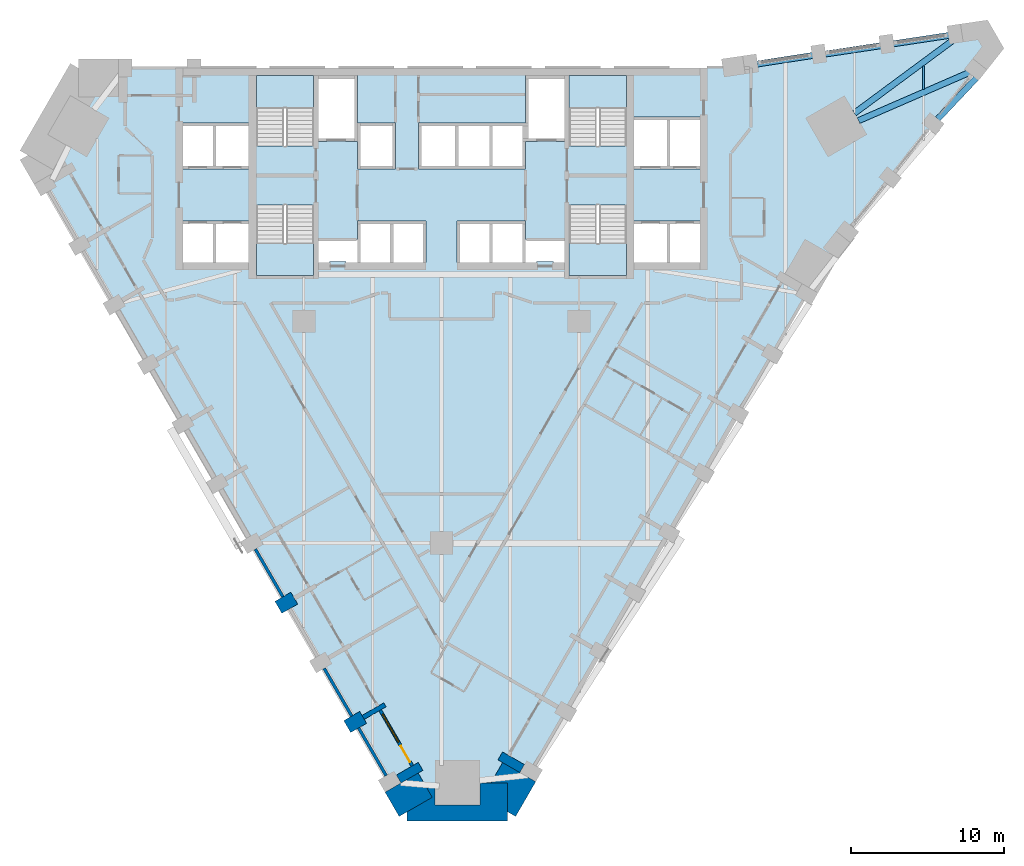
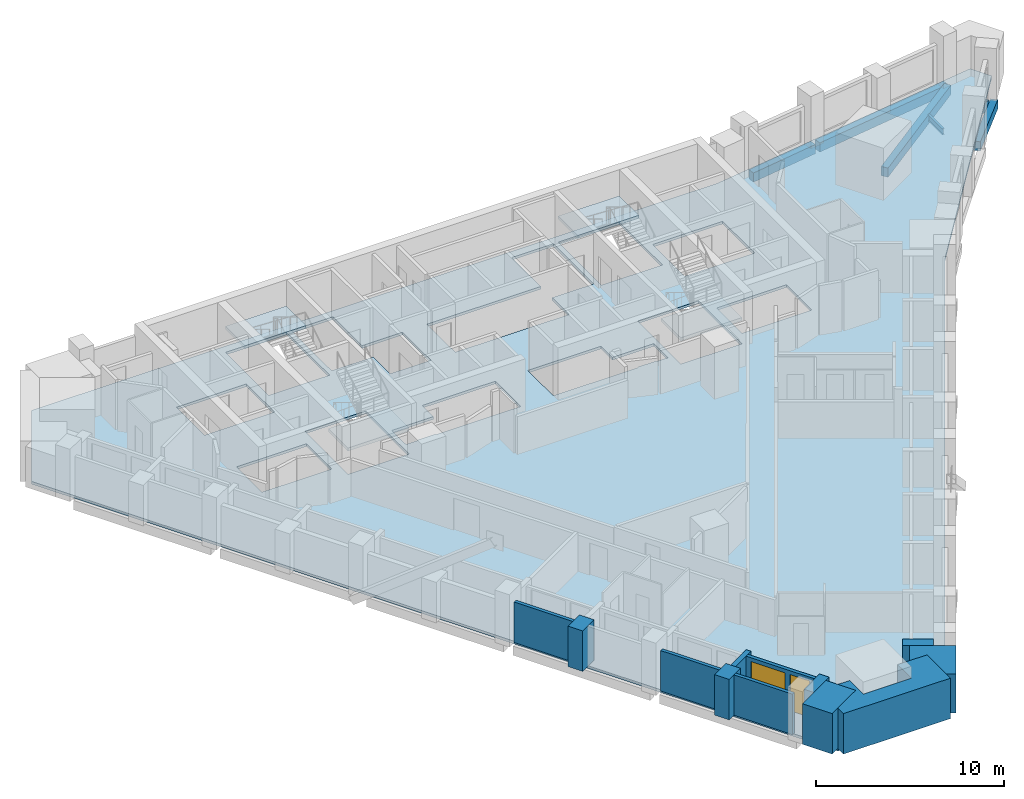
# One storey, part 2 of 10: 12 walls, 6 beams, 5 slabs, 1 door, 1 window, 2 openings, 4 elements without a shape of their own.
"""IFC4 building model written with IfcOpenShell, lengths in metres."""

from ifc_helpers import new_model, si_unit, direction, frame, frame_2d, origin, origin_2d, place, context, subcontext, project, spatial, polyline, rectangle, i_section, outline, extrude, material, layer, layer_set, material_profile, profile_set, type_object, element, fill, aggregate, save


model = new_model("IFC4")

# Units and contexts
model_context = context("Model", 3, precision=1e-05, world=origin(), true_north=direction((0.0, 1.0)))
body_context = subcontext(model_context, "Body", "Model", "MODEL_VIEW")
ifc_project = project(units=[si_unit("LENGTHUNIT", "METRE"), si_unit("AREAUNIT", "SQUARE_METRE"), si_unit("VOLUMEUNIT", "CUBIC_METRE"), si_unit("PLANEANGLEUNIT", "RADIAN"), si_unit("MASSUNIT", "GRAM", prefix="KILO")], contexts=[model_context])

# Site, building, storey
site_placement = place(None, origin())
site = spatial("IfcSite", under=ifc_project, at=site_placement, CompositionType="ELEMENT")
building_placement = place(site_placement, origin())
building = spatial("IfcBuilding", under=site, at=building_placement, Name="Calabash Gate Tower", CompositionType="ELEMENT")
storey_placement = place(building_placement, frame((0.0, 0.0, 105.39990234375)))
storey = spatial("IfcBuildingStorey", under=building, at=storey_placement, Name="L23", CompositionType="ELEMENT", Elevation=105.39990234375)

# Beams
ifc_material_1 = material(Name="Concrete C60/75", Category="concrete")
ifc_material_profile_1 = material_profile(ifc_material_1, rectangle(XDim=0.39990234375, YDim=0.60009765625, at=origin_2d()))
ifc_profile_set_1 = profile_set([ifc_material_profile_1], Name="Concrete C60/75")
beam_type_1 = type_object("IfcBeamType", Name="Edge beam RC 400x600 Concrete C60/75", PredefinedType="BEAM", material=ifc_profile_set_1)
beam_1_placement = place(storey_placement, frame((32.43701171875, 15.72412109375, -0.469970703125), z_axis=(0.685684369874, 0.727898993618, 0.0), x_axis=(-0.727898993618, 0.685684369874, 0.0)))
element("IfcBeam", 1, at=beam_1_placement, inside=storey, type_object=beam_type_1, Name="Edge beam L23 12", PredefinedType="BEAM", context=body_context, shape_type="SweptSolid", body=[
    extrude(rectangle(XDim=0.39990234375, YDim=0.60009765625, at=origin_2d()), origin(), (0.0, 0.0, 1.0), 4.025146484375),
])
beam_2_placement = place(storey_placement, frame((34.85205078125, 18.9140625, -0.469970703125), z_axis=(-0.917076156133, -0.398712081398, 0.0), x_axis=(0.398712081398, -0.917076156133, 0.0)))
element("IfcBeam", 2, at=beam_2_placement, inside=storey, type_object=beam_type_1, Name="Edge beam L23 13", PredefinedType="BEAM", context=body_context, shape_type="SweptSolid", body=[
    extrude(rectangle(XDim=0.39990234375, YDim=0.60009765625, at=origin_2d()), origin(), (0.0, 0.0, 1.0), 8.27197265625),
])
beam_3_placement = place(storey_placement, frame((26.989013671875, 16.096923828125, -0.469970703125), z_axis=(0.803977048401, 0.594660327955, 0.0), x_axis=(-0.594660327955, 0.803977048401, 0.0)))
element("IfcBeam", 3, at=beam_3_placement, inside=storey, type_object=beam_type_1, Name="Edge beam L23 14", PredefinedType="BEAM", context=body_context, shape_type="SweptSolid", body=[
    extrude(rectangle(XDim=0.39990234375, YDim=0.60009765625, at=origin_2d()), origin(), (0.0, 0.0, 1.0), 8.411865234375),
])
beam_4_placement = place(storey_placement, frame((33.737060546875, 21.27392578125, -0.469970703125), z_axis=(-0.988841625555, -0.148970599683, 0.0), x_axis=(0.148970599683, -0.988841625555, 0.0)))
element("IfcBeam", 4, at=beam_4_placement, inside=storey, type_object=beam_type_1, Name="Edge beam L23 15", PredefinedType="BEAM", context=body_context, shape_type="SweptSolid", body=[
    extrude(rectangle(XDim=0.39990234375, YDim=0.60009765625, at=origin_2d()), origin(), (0.0, 0.0, 1.0), 8.7333984375),
])
beam_5_placement = place(storey_placement, frame((24.83203125, 19.968017578125, -0.469970703125), z_axis=(-0.988255414285, -0.152811112607, 0.0), x_axis=(0.152811112607, -0.988255414285, 0.0)))
element("IfcBeam", 5, at=beam_5_placement, inside=storey, type_object=beam_type_1, Name="Edge beam L23 16", PredefinedType="BEAM", context=body_context, shape_type="SweptSolid", body=[
    extrude(rectangle(XDim=0.39990234375, YDim=0.60009765625, at=origin_2d()), origin(), (0.0, 0.0, 1.0), 4.23388671875),
])
ifc_material_2 = material(Name="Steel ASTM A992 Gr50", Category="steel")
ifc_material_profile_2 = material_profile(ifc_material_2, i_section(OverallWidth=0.1396484375, OverallDepth=0.398681640625, WebThickness=0.00634765625, FlangeThickness=0.0087890625, FilletRadius=0.01025390625, at=origin_2d()))
ifc_profile_set_2 = profile_set([ifc_material_profile_2], Name="Steel ASTM A992 Gr50")
beam_type_2 = type_object("IfcBeamType", Name="Floor beam W16x26 ASTM A992 Gr50", PredefinedType="BEAM", material=ifc_profile_set_2)
beam_6_placement = place(storey_placement, frame((31.5, 17.653076171875, -0.368896484375), z_axis=(0.0, 1.0, 0.0), x_axis=(-1.0, 0.0, 0.0)))
element("IfcBeam", 6, at=beam_6_placement, inside=storey, type_object=beam_type_2, Name="Floor beam L23 23", PredefinedType="BEAM", context=body_context, shape_type="SweptSolid", body=[
    extrude(i_section(OverallWidth=0.1396484375, OverallDepth=0.398681640625, WebThickness=0.00634765625, FlangeThickness=0.0087890625, FilletRadius=0.01025390625, at=origin_2d()), origin(), (0.0, 0.0, 1.0), 1.5439453125),
])

# Slab
ifc_material_3 = material(Name="Concrete C40/50", Category="concrete")
ifc_layer_1 = layer(ifc_material_3, 0.169921875)
ifc_layer_set_1 = layer_set([ifc_layer_1], Name="Composite floor slab 170 Concrete C40/50")
slab_type_1 = type_object("IfcSlabType", Name="Composite floor slab 170 Concrete C40/50", PredefinedType="FLOOR", material=ifc_layer_set_1)
slab_1_placement = place(storey_placement, frame((0.0, 0.0, -0.169921875)))
element("IfcSlab", 7, at=slab_1_placement, inside=storey, type_object=slab_type_1, Name="Floor slab L23", PredefinedType="FLOOR", context=body_context, shape_type="SweptSolid", body=[
    extrude(outline(polyline([(-27.03125, 13.3544921875), (-23.741455078125, 19.052490234375), (18.4033203125, 19.052490234375), (35.385498046875, 21.54150390625), (36.050048828125, 20.390625), (25.4033203125, 6.92822265625), (4.3310546875, -29.5703125), (-2.24853515625, -29.5703125), (-27.03125, 13.3544921875)]), holes=[polyline([(-5.5, 9.052490234375), (-5.5, 7.8525390625), (-8.050048828125, 7.8525390625), (-8.050048828125, 6.3525390625), (-7.324951171875, 6.3525390625), (-7.324951171875, 6.402587890625), (-6.22509765625, 6.402587890625), (-6.22509765625, 6.3525390625), (-5.5, 6.3525390625), (-3.25, 6.3525390625), (-1.0, 6.3525390625), (-1.0, 9.052490234375), (-3.25, 9.052490234375), (-5.5, 9.052490234375)]), polyline([(5.5, 9.052490234375), (3.25, 9.052490234375), (1.0, 9.052490234375), (1.0, 6.3525390625), (3.25, 6.3525390625), (5.5, 6.3525390625), (6.22509765625, 6.3525390625), (6.22509765625, 6.402587890625), (7.324951171875, 6.402587890625), (7.324951171875, 6.3525390625), (8.050048828125, 6.3525390625), (8.050048828125, 7.8525390625), (5.5, 7.8525390625), (5.5, 9.052490234375)]), polyline([(-5.5, 14.252685546875), (-5.5, 12.45263671875), (-3.0, 12.45263671875), (-3.0, 15.45263671875), (-5.5, 15.45263671875), (-5.5, 18.552490234375), (-8.050048828125, 18.552490234375), (-8.050048828125, 14.252685546875), (-5.5, 14.252685546875)]), polyline([(8.050048828125, 18.552490234375), (5.5, 18.552490234375), (5.5, 15.45263671875), (3.25, 15.45263671875), (1.0, 15.45263671875), (-1.5, 15.45263671875), (-1.5, 12.45263671875), (1.0, 12.45263671875), (3.25, 12.45263671875), (5.5, 12.45263671875), (5.5, 14.252685546875), (8.050048828125, 14.252685546875), (8.050048828125, 18.552490234375)]), polyline([(-12.60009765625, 6.3525390625), (-12.60009765625, 9.052490234375), (-14.85009765625, 9.052490234375), (-16.89990234375, 9.052490234375), (-16.89990234375, 6.3525390625), (-14.85009765625, 6.3525390625), (-12.60009765625, 6.3525390625)]), polyline([(-14.85009765625, 12.45263671875), (-12.60009765625, 12.45263671875), (-12.60009765625, 15.45263671875), (-14.85009765625, 15.45263671875), (-16.89990234375, 15.45263671875), (-16.89990234375, 12.45263671875), (-14.85009765625, 12.45263671875)]), polyline([(14.85009765625, 6.3525390625), (16.89990234375, 6.3525390625), (16.89990234375, 9.052490234375), (14.85009765625, 9.052490234375), (12.60009765625, 9.052490234375), (12.60009765625, 6.3525390625), (14.85009765625, 6.3525390625)]), polyline([(14.85009765625, 12.45263671875), (16.89990234375, 12.45263671875), (16.89990234375, 15.8525390625), (14.85009765625, 15.8525390625), (12.60009765625, 15.8525390625), (12.60009765625, 12.45263671875), (14.85009765625, 12.45263671875)]), polyline([(-8.35009765625, 18.552490234375), (-12.10009765625, 18.552490234375), (-12.10009765625, 13.95263671875), (-8.35009765625, 13.95263671875), (-8.35009765625, 18.552490234375)]), polyline([(-12.10009765625, 10.1025390625), (-12.10009765625, 5.502685546875), (-8.35009765625, 5.502685546875), (-8.35009765625, 10.1025390625), (-12.10009765625, 10.1025390625)]), polyline([(8.35009765625, 13.95263671875), (12.10009765625, 13.95263671875), (12.10009765625, 18.552490234375), (8.35009765625, 18.552490234375), (8.35009765625, 13.95263671875)]), polyline([(12.10009765625, 5.502685546875), (12.10009765625, 10.1025390625), (8.35009765625, 10.1025390625), (8.35009765625, 5.502685546875), (12.10009765625, 5.502685546875)])]), origin(), (0.0, 0.0, 1.0), 0.169921875),
])

# Stair, slab
ifc_material_4 = material(Name="Concrete C40/50", Category="concrete")
stair_type = type_object("IfcStairType", Name="Exit stair 20 risers of 170 mm", PredefinedType="HALF_TURN_STAIR", material=ifc_material_4)
stair_1_placement = place(storey_placement, origin())
stair_1 = element("IfcStair", 8, at=stair_1_placement, inside=storey, type_object=stair_type, Name="L23 Exit stair ST1", PredefinedType="HALF_TURN_STAIR")
ifc_material_5 = material(Name="Concrete C40/50", Category="concrete")
ifc_layer_2 = layer(ifc_material_5, 0.199951171875)
ifc_layer_set_2 = layer_set([ifc_layer_2], Name="Stair landing SL200")
slab_type_2 = type_object("IfcSlabType", Name="Stair landing SL200", PredefinedType="LANDING", material=ifc_layer_set_2)
slab_2_placement = place(storey_placement, frame((0.0, 0.0, 1.5)))
slab_2 = element("IfcSlab", 9, at=slab_2_placement, type_object=slab_type_2, Name="ST1 landing 1", PredefinedType="LANDING", context=body_context, shape_type="SweptSolid", body=[
    extrude(outline(polyline([(-8.35009765625, 16.463623046875), (-8.35009765625, 18.552490234375), (-12.10009765625, 18.552490234375), (-12.10009765625, 16.463623046875), (-8.35009765625, 16.463623046875)])), origin(), (0.0, 0.0, 1.0), 0.2001953125),
])
aggregate(stair_1, [slab_2])

stair_2_placement = place(storey_placement, origin())
stair_2 = element("IfcStair", 10, at=stair_2_placement, inside=storey, type_object=stair_type, Name="L23 Exit stair ST2", PredefinedType="HALF_TURN_STAIR")
slab_3_placement = place(storey_placement, frame((0.0, 0.0, 1.5)))
slab_3 = element("IfcSlab", 11, at=slab_3_placement, type_object=slab_type_2, Name="ST2 landing 1", PredefinedType="LANDING", context=body_context, shape_type="SweptSolid", body=[
    extrude(outline(polyline([(-12.10009765625, 7.591552734375), (-12.10009765625, 5.502685546875), (-8.35009765625, 5.502685546875), (-8.35009765625, 7.591552734375), (-12.10009765625, 7.591552734375)])), origin(), (0.0, 0.0, 1.0), 0.2001953125),
])
aggregate(stair_2, [slab_3])

stair_3_placement = place(storey_placement, origin())
stair_3 = element("IfcStair", 12, at=stair_3_placement, inside=storey, type_object=stair_type, Name="L23 Exit stair ST3", PredefinedType="HALF_TURN_STAIR")
slab_4_placement = place(storey_placement, frame((0.0, 0.0, 1.5)))
slab_4 = element("IfcSlab", 13, at=slab_4_placement, type_object=slab_type_2, Name="ST3 landing 1", PredefinedType="LANDING", context=body_context, shape_type="SweptSolid", body=[
    extrude(outline(polyline([(12.10009765625, 16.463623046875), (12.10009765625, 18.552490234375), (8.35009765625, 18.552490234375), (8.35009765625, 16.463623046875), (12.10009765625, 16.463623046875)])), origin(), (0.0, 0.0, 1.0), 0.2001953125),
])
aggregate(stair_3, [slab_4])

stair_4_placement = place(storey_placement, origin())
stair_4 = element("IfcStair", 14, at=stair_4_placement, inside=storey, type_object=stair_type, Name="L23 Exit stair ST4", PredefinedType="HALF_TURN_STAIR")
slab_5_placement = place(storey_placement, frame((0.0, 0.0, 1.5)))
slab_5 = element("IfcSlab", 15, at=slab_5_placement, type_object=slab_type_2, Name="ST4 landing 1", PredefinedType="LANDING", context=body_context, shape_type="SweptSolid", body=[
    extrude(outline(polyline([(8.35009765625, 7.591552734375), (8.35009765625, 5.502685546875), (12.10009765625, 5.502685546875), (12.10009765625, 7.591552734375), (8.35009765625, 7.591552734375)])), origin(), (0.0, 0.0, 1.0), 0.2001953125),
])
aggregate(stair_4, [slab_5])

# Walls
ifc_material_6 = material(Name="Terracotta brick masonry, exposed face", Category="masonry")
ifc_layer_3 = layer(ifc_material_6, 2.5)
ifc_layer_set_3 = layer_set([ifc_layer_3], Name="Brick corner mass wall 2500")
wall_type_1 = type_object("IfcWallType", Name="Brick corner mass wall 2500", PredefinedType="SOLIDWALL", material=ifc_layer_set_3)
wall_1_placement = place(storey_placement, origin())
element("IfcWall", 16, at=wall_1_placement, inside=storey, type_object=wall_type_1, Name="Brick corner pier S06 1a", PredefinedType="SOLIDWALL", context=body_context, shape_type="SweptSolid", body=[
    extrude(outline(polyline([(-0.60302734375, -28.6201171875), (-1.51953125, -27.033203125), (-3.6845703125, -28.283203125), (-2.76806640625, -29.8701171875), (-0.60302734375, -28.6201171875)])), origin(), (0.0, 0.0, 1.0), 2.630126953125),
])
wall_2_placement = place(storey_placement, origin())
element("IfcWall", 17, at=wall_2_placement, inside=storey, type_object=wall_type_1, Name="Brick corner pier S06 1b", PredefinedType="SOLIDWALL", context=body_context, shape_type="SweptSolid", body=[
    extrude(outline(polyline([(-0.43408203125, -27.670166015625), (-1.151611328125, -27.670166015625), (-0.60302734375, -28.6201171875), (-2.24853515625, -29.5703125), (-2.24853515625, -30.170166015625), (4.3310546875, -30.170166015625), (4.3310546875, -27.670166015625), (2.51611328125, -27.670166015625), (2.51611328125, -29.1259765625), (-0.43408203125, -29.1259765625), (-0.43408203125, -27.670166015625)])), origin(), (0.0, 0.0, 1.0), 2.630126953125),
])
wall_3_placement = place(storey_placement, origin())
element("IfcWall", 18, at=wall_3_placement, inside=storey, type_object=wall_type_1, Name="Brick corner pier S06 1c", PredefinedType="SOLIDWALL", context=body_context, shape_type="SweptSolid", body=[
    extrude(outline(polyline([(6.161865234375, -27.59912109375), (3.996826171875, -26.34912109375), (3.23388671875, -27.670166015625), (4.3310546875, -27.670166015625), (4.3310546875, -29.5703125), (4.8505859375, -29.8701171875), (6.161865234375, -27.59912109375)])), origin(), (0.0, 0.0, 1.0), 2.552001953125),
])
ifc_material_7 = material(Name="Terracotta brick masonry, exposed face", Category="masonry")
ifc_layer_4 = layer(ifc_material_7, 1.199951171875)
ifc_layer_set_4 = layer_set([ifc_layer_4], Name="Brick end wall 1200")
wall_type_2 = type_object("IfcWallType", Name="Brick end wall 1200", PredefinedType="SOLIDWALL", material=ifc_layer_set_4)
for number, where, z_axis, x_axis, name in (
    (19, (-10.659423828125, -16.2021484375, 0.0), (0.0, 0.0, 1.0), (0.865955154139, 0.50012165622, 0.0), "Brick pier S06 SW0.7"),
    (20, (-6.159423828125, -23.996337890625, 0.0), (0.0, 0.0, 1.0), (0.865955154139, 0.50012165622, 0.0), "Brick pier S06 SW0.9"),
):
    element("IfcWall", number, at=place(storey_placement, frame(where, z_axis=z_axis, x_axis=x_axis)), inside=storey, type_object=wall_type_2, Name=name, PredefinedType="SOLIDWALL", context=body_context, shape_type="SweptSolid", body=[
        extrude(rectangle(XDim=1.199951171875, YDim=0.89990234375, at=frame_2d((0.60009765625, 0.0))), origin(), (0.0, 0.0, 1.0), 2.630126953125),
    ])
ifc_material_8 = material(Name="Terracotta brick masonry, exposed face", Category="masonry")
ifc_layer_5 = layer(ifc_material_8, 0.300048828125)
ifc_layer_set_5 = layer_set([ifc_layer_5], Name="Brick loggia cheek wall 300")
wall_type_3 = type_object("IfcWallType", Name="Brick loggia cheek wall 300", PredefinedType="SOLIDWALL", material=ifc_layer_set_5)
wall_4_placement = place(storey_placement, frame((-3.69140625, -22.5712890625, 0.0), z_axis=(0.0, 0.0, 1.0), x_axis=(-0.866040211805, -0.499974350878, 0.0)))
element("IfcWall", 21, at=wall_4_placement, inside=storey, type_object=wall_type_3, Name="Loggia cheek S06 SW0.9", PredefinedType="SOLIDWALL", context=body_context, shape_type="SweptSolid", body=[
    extrude(rectangle(XDim=1.64990234375, YDim=0.300048828125, at=frame_2d((0.824951171875, 0.0))), origin(), (0.0, 0.0, 1.0), 2.628173828125),
])
wall_5_placement = place(storey_placement, frame((-2.795166015625, -27.42333984375, 0.0), z_axis=(0.0, 0.0, 1.0), x_axis=(0.866040211805, 0.499974350878, 0.0)))
element("IfcWall", 22, at=wall_5_placement, inside=storey, type_object=wall_type_3, Name="Loggia cheek S06 SW0.10", PredefinedType="SOLIDWALL", context=body_context, shape_type="SweptSolid", body=[
    extrude(rectangle(XDim=1.64990234375, YDim=0.60009765625, at=frame_2d((0.824951171875, 0.0))), origin(), (0.0, 0.0, 1.0), 2.630126953125),
])
wall_6_placement = place(storey_placement, frame((5.2724609375, -26.739501953125, 0.0), z_axis=(0.0, 0.0, 1.0), x_axis=(-0.865976140824, 0.500085316245, 0.0)))
element("IfcWall", 23, at=wall_6_placement, inside=storey, type_object=wall_type_3, Name="Loggia cheek S06 SE2.0", PredefinedType="SOLIDWALL", context=body_context, shape_type="SweptSolid", body=[
    extrude(rectangle(XDim=1.650146484375, YDim=0.60009765625, at=frame_2d((0.8251953125, 0.0))), origin(), (0.0, 0.0, 1.0), 2.552001953125),
])
ifc_material_9 = material(Name="Terracotta brick masonry, perforated", Category="masonry")
ifc_layer_6 = layer(ifc_material_9, 0.199951171875)
ifc_layer_set_6 = layer_set([ifc_layer_6], Name="Terracotta jaali screen B")
wall_type_4 = type_object("IfcWallType", Name="Terracotta jaali screen B", PredefinedType="SOLIDWALL", material=ifc_layer_set_6)
for number, where, z_axis, x_axis, name in (
    (24, (-12.164794921875, -12.394775390625, 0.0), (0.0, 0.0, 1.0), (0.499961193289, -0.866047807691, 0.0), "SCREEN B S06 SW0.7"),
    (25, (-7.664794921875, -20.18896484375, 0.0), (0.0, 0.0, 1.0), (0.499961193289, -0.866047807691, 0.0), "SCREEN B S06 SW0.9"),
    (26, (-5.414794921875, -24.0859375, 0.0), (0.0, 0.0, 1.0), (0.499961193289, -0.866047807691, 0.0), "SCREEN B S06 SW0.10"),
):
    element("IfcWall", number, at=place(storey_placement, frame(where, z_axis=z_axis, x_axis=x_axis)), inside=storey, type_object=wall_type_4, Name=name, PredefinedType="SOLIDWALL", context=body_context, shape_type="SweptSolid", body=[
        extrude(rectangle(XDim=3.599853515625, YDim=0.199951171875, at=frame_2d((1.7998046875, 0.0))), origin(), (0.0, 0.0, 1.0), 2.630126953125),
    ])

# Wall, openings, door, window
ifc_material_10 = material(Name="Aluminium framed window wall with insulated spandrel", Category="aluminium")
ifc_layer_7 = layer(ifc_material_10, 0.199951171875)
ifc_layer_set_7 = layer_set([ifc_layer_7], Name="Window wall 200")
wall_type_5 = type_object("IfcWallType", Name="Window wall 200", PredefinedType="ELEMENTEDWALL", material=ifc_layer_set_7)
wall_7_placement = place(storey_placement, frame((-4.006103515625, -22.92626953125, 0.0), z_axis=(0.0, 0.0, 1.0), x_axis=(0.500027713859, -0.866009402589, 0.0)))
wall_7 = element("IfcWall", 27, at=wall_7_placement, inside=storey, type_object=wall_type_5, Name="Window wall S06 SW0.10", PredefinedType="ELEMENTEDWALL", context=body_context, shape_type="SweptSolid", body=[
    extrude(rectangle(XDim=4.199951171875, YDim=0.199951171875, at=frame_2d((2.10009765625, 0.0))), origin(), (0.0, 0.0, 1.0), 2.650146484375),
])
opening_1_placement = place(wall_7_placement, frame((0.300048828125, 0.0, 0.60009765625)))
opening_1 = element("IfcOpeningElement", 28, at=opening_1_placement, cuts=wall_7, Name="Opening HW1", PredefinedType="OPENING", context=body_context, shape_type="SweptSolid", body=[
    extrude(rectangle(XDim=2.10009765625, YDim=1.800048828125, at=frame_2d((1.050048828125, 0.89990234375))), frame((0.0, 0.10986328125, 0.0), z_axis=(0.0, -1.0, 0.0), x_axis=(1.0, 0.0, 0.0)), (0.0, 0.0, 1.0), 0.219970703125),
])
opening_2_placement = place(wall_7_placement, frame((2.699951171875, 0.0, 0.0)))
opening_2 = element("IfcOpeningElement", 29, at=opening_2_placement, cuts=wall_7, Name="Opening H6-026", PredefinedType="OPENING", context=body_context, shape_type="SweptSolid", body=[
    extrude(rectangle(XDim=1.199951171875, YDim=2.39990234375, at=frame_2d((0.60009765625, 1.199951171875))), frame((0.0, 0.10986328125, 0.0), z_axis=(0.0, -1.0, 0.0), x_axis=(1.0, 0.0, 0.0)), (0.0, 0.0, 1.0), 0.219970703125),
])
ifc_material_11 = material(Name="Anodised aluminium frame, bronze finish, impact-rated laminated clear glazing", Category="aluminium")
door_type = type_object("IfcDoorType", Name="Loggia door DH1 1200x2400", OperationType="SLIDING_TO_LEFT", PredefinedType="DOOR", material=ifc_material_11)
door_placement = place(opening_2_placement, origin())
door = element("IfcDoor", 30, at=door_placement, inside=storey, type_object=door_type, Name="Loggia door S06 SW0.10", OperationType="SINGLE_SWING_LEFT", OverallHeight=2.39990234375, OverallWidth=1.199951171875, PredefinedType="DOOR", context=body_context, shape_type="SweptSolid", body=[
    extrude(rectangle(XDim=1.199951171875, YDim=2.39990234375, at=frame_2d((0.60009765625, 1.199951171875))), frame((0.0, 0.02490234375, 0.0), z_axis=(0.0, -1.0, 0.0), x_axis=(1.0, 0.0, 0.0)), (0.0, 0.0, 1.0), 0.050048828125),
])
fill(opening_2, door)
ifc_material_12 = material(Name="Anodised aluminium frame, bronze finish, impact-rated laminated clear glazing", Category="aluminium")
window_type = type_object("IfcWindowType", Name="Window HW1 2100x1800", PartitioningType="DOUBLE_PANEL_VERTICAL", PredefinedType="WINDOW", material=ifc_material_12)
window_placement = place(opening_1_placement, origin())
window = element("IfcWindow", 31, at=window_placement, inside=storey, type_object=window_type, Name="Window HW1 S06 SW0.10", OverallHeight=1.800048828125, OverallWidth=2.10009765625, PartitioningType="SINGLE_PANEL", PredefinedType="WINDOW", context=body_context, shape_type="SweptSolid", body=[
    extrude(rectangle(XDim=2.10009765625, YDim=1.800048828125, at=frame_2d((1.050048828125, 0.89990234375))), frame((0.0, 0.030029296875, 0.0), z_axis=(0.0, -1.0, 0.0), x_axis=(1.0, 0.0, 0.0)), (0.0, 0.0, 1.0), 0.06005859375),
])
fill(opening_1, window)

save(model, "model.ifc")
